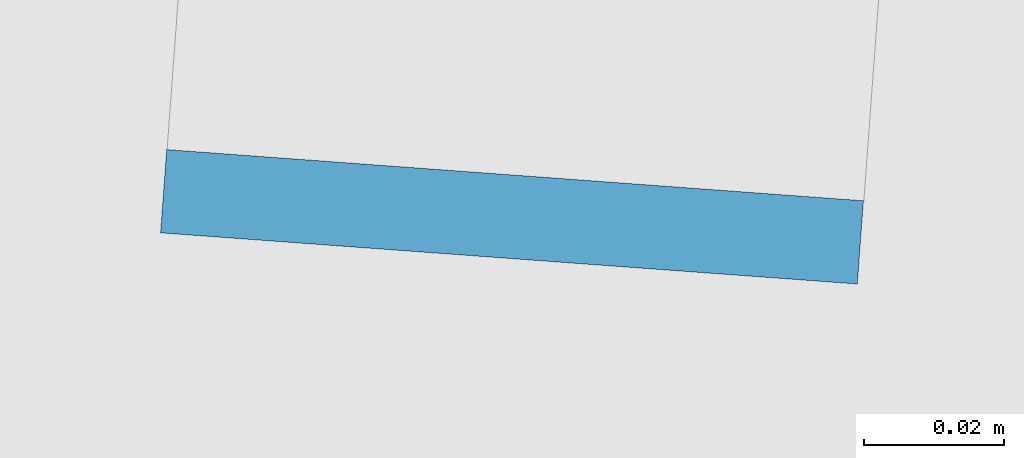
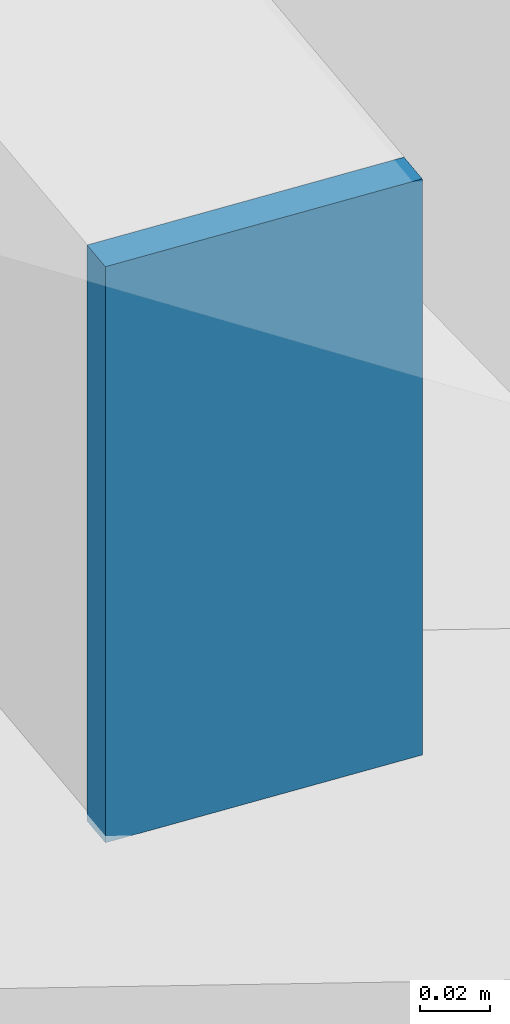
# One storey, part 37 of 56: 1 plate.
"""IFC4 building model written with IfcOpenShell, lengths in metres."""

import ifcopenshell
import ifcopenshell.guid

model = None  # the IFC model being written
_history = None  # IfcOwnerHistory: only IFC2X3 demands one
_inside = {}  # id of a spatial element -> (the spatial element, [elements in it])
_under = {}  # id of a project, library or spatial element -> (it, [spatial elements below it])
_declared = {}  # id of a project -> (the project, [libraries it declares])
_typed = {}  # id of a type object -> (the type object, [elements of that type])
_made_of = {}  # id of a material, layer set ... -> (it, [elements and type objects made of it])


def new_model(schema):
    """Start an empty IFC model of exactly this schema.

    Asked for "IFC4X3", IfcOpenShell would pick the latest addendum, in which some entities
    have other attributes; the version numbers below select the first issue.
    IFC2X3 requires an IfcOwnerHistory on every rooted entity: one is made here for all.
    """
    global model, _history
    if schema == "IFC4X3":
        model = ifcopenshell.file(schema_version=(4, 3, 0, 0))
    else:
        model = ifcopenshell.file(schema=schema)
    _inside.clear()
    _under.clear()
    _declared.clear()
    _typed.clear()
    _made_of.clear()
    _history = None
    if model.schema == "IFC2X3":
        org = make("IfcOrganization", Name="unknown")
        user = make(
            "IfcPersonAndOrganization",
            ThePerson=make("IfcPerson", FamilyName="unknown"),
            TheOrganization=org,
        )
        app = make(
            "IfcApplication",
            ApplicationDeveloper=org,
            Version="unknown",
            ApplicationFullName="unknown",
            ApplicationIdentifier="unknown",
        )
        _history = make(
            "IfcOwnerHistory",
            OwningUser=user,
            OwningApplication=app,
            ChangeAction="ADDED",
            CreationDate=0,
        )
    return model


def make(cls, **values):
    """One entity of the class cls with the attributes given. An attribute that is None is left unset."""
    return model.create_entity(
        cls, **{name: value for name, value in values.items() if value is not None}
    )


def rooted(cls, **values):
    """An entity with a GlobalId (a new one), such as an element, a storey or a relation."""
    return make(cls, GlobalId=ifcopenshell.guid.new(), OwnerHistory=_history, **values)


def si_unit(unit_type, name, prefix=None):
    """IfcSIUnit, for example si_unit("LENGTHUNIT", "METRE", prefix="MILLI")."""
    return make("IfcSIUnit", UnitType=unit_type, Prefix=prefix, Name=name)


def assignment(units):
    """IfcUnitAssignment: the units of a project."""
    return None if units is None else make("IfcUnitAssignment", Units=units)


def point(xyz):
    """IfcCartesianPoint."""
    return None if xyz is None else make("IfcCartesianPoint", Coordinates=xyz)


def direction(xyz):
    """IfcDirection."""
    return None if xyz is None else make("IfcDirection", DirectionRatios=xyz)


def frame(location, z_axis=None, x_axis=None):
    """IfcAxis2Placement3D, a coordinate frame: its origin and axes. An axis left out is left unset."""
    return make(
        "IfcAxis2Placement3D",
        Location=point(location),
        Axis=direction(z_axis),
        RefDirection=direction(x_axis),
    )


def frame_2d(location, x_axis=None):
    """IfcAxis2Placement2D, a coordinate frame in the plane: its origin and x axis."""
    return make(
        "IfcAxis2Placement2D", Location=point(location), RefDirection=direction(x_axis)
    )


def origin():
    """The frame at (0, 0, 0) with its axes left unset."""
    return frame((0.0, 0.0, 0.0))


def origin_2d():
    """The frame at (0, 0) in the plane with its x axis left unset."""
    return frame_2d((0.0, 0.0))


def place(relative_to, where):
    """IfcLocalPlacement: puts the frame where relative to a parent placement (None: the world)."""
    return make(
        "IfcLocalPlacement", PlacementRelTo=relative_to, RelativePlacement=where
    )


def context(
    kind, dimensions, precision=None, world=None, true_north=None, identifier=None
):
    """IfcGeometricRepresentationContext, for example the 3D "Model" context."""
    return make(
        "IfcGeometricRepresentationContext",
        ContextIdentifier=identifier,
        ContextType=kind,
        CoordinateSpaceDimension=dimensions,
        Precision=precision,
        WorldCoordinateSystem=world,
        TrueNorth=true_north,
    )


def subcontext(parent, identifier, kind, view, scale=None):
    """IfcGeometricRepresentationSubContext, for example "Body" below "Model"."""
    return make(
        "IfcGeometricRepresentationSubContext",
        ContextIdentifier=identifier,
        ContextType=kind,
        ParentContext=parent,
        TargetScale=scale,
        TargetView=view,
    )


def project(units=None, contexts=None):
    """IfcProject with its units and contexts."""
    return rooted(
        "IfcProject",
        Name="project",
        RepresentationContexts=contexts,
        UnitsInContext=assignment(units),
    )


def spatial(cls, under=None, at=None, **own):
    """A site, building, storey or space (cls), placed at a placement, below another one or the project."""
    s = rooted(cls, ObjectPlacement=at, **own)
    if under is not None:
        _under.setdefault(under.id(), (under, []))[1].append(s)
    return s


def profile(cls, at=None, kind="AREA", **sizes):
    """A parametric profile (cls). Its sizes go by their IFC names, for example OverallWidth=200.0."""
    return make(cls, ProfileType=kind, Position=at, **sizes)


def rectangle(**sizes):
    """IfcRectangleProfileDef."""
    return profile("IfcRectangleProfileDef", **sizes)


def extrude(swept, where, along, depth):
    """IfcExtrudedAreaSolid: the profile swept, set in the frame where, extruded along a direction by depth."""
    return make(
        "IfcExtrudedAreaSolid",
        SweptArea=swept,
        Position=where,
        ExtrudedDirection=direction(along),
        Depth=depth,
    )


def shape(context_of_items, identifier, shape_type, items):
    """IfcShapeRepresentation: the items that make up one representation, for example the "Body"."""
    return make(
        "IfcShapeRepresentation",
        ContextOfItems=context_of_items,
        RepresentationIdentifier=identifier,
        RepresentationType=shape_type,
        Items=items,
    )


def source(mapping_origin, context_of_items, identifier, shape_type, items):
    """IfcRepresentationMap: a shape defined once, which mapped items show again and again."""
    return make(
        "IfcRepresentationMap",
        MappingOrigin=mapping_origin,
        MappedRepresentation=shape(context_of_items, identifier, shape_type, items),
    )


def transform(
    local_origin,
    x_axis=None,
    y_axis=None,
    z_axis=None,
    scale=None,
    scale2=None,
    scale3=None,
    uniform=True,
):
    """IfcCartesianTransformationOperator3D, or its non-uniform kind. x_axis, y_axis, z_axis: its Axis1, 2, 3."""
    if uniform:
        return make(
            "IfcCartesianTransformationOperator3D",
            Axis1=direction(x_axis),
            Axis2=direction(y_axis),
            LocalOrigin=point(local_origin),
            Scale=scale,
            Axis3=direction(z_axis),
        )
    return make(
        "IfcCartesianTransformationOperator3DnonUniform",
        Axis1=direction(x_axis),
        Axis2=direction(y_axis),
        LocalOrigin=point(local_origin),
        Scale=scale,
        Axis3=direction(z_axis),
        Scale2=scale2,
        Scale3=scale3,
    )


def mapped(mapping_source, mapping_target):
    """IfcMappedItem: shows the shape of a source again, moved by a transform."""
    return make(
        "IfcMappedItem", MappingSource=mapping_source, MappingTarget=mapping_target
    )


def material(Name=None, Category=None):
    """IfcMaterial."""
    return make("IfcMaterial", Name=Name, Category=Category)


def layer(
    of_material, thickness, ventilated=None, Name=None, Category=None, Priority=None
):
    """IfcMaterialLayer: one layer of a wall or slab, of a material (None: an air gap)."""
    return make(
        "IfcMaterialLayer",
        Material=of_material,
        LayerThickness=thickness,
        IsVentilated=ventilated,
        Name=Name,
        Category=Category,
        Priority=Priority,
    )


def layer_set(layers, Name=None):
    """IfcMaterialLayerSet."""
    return make("IfcMaterialLayerSet", MaterialLayers=layers, LayerSetName=Name)


def made_of(thing, what):
    """Note that an element or type object is made of a material, layer set ...; save() writes the relation."""
    if what is not None:
        _made_of.setdefault(what.id(), (what, []))[1].append(thing)
    return thing


def type_object(cls, material=None, **own):
    """A type object (cls), such as IfcWallType, which elements share."""
    return made_of(rooted(cls, **own), material)


def element(
    cls,
    number,
    at=None,
    inside=None,
    cuts=None,
    type_object=None,
    material=None,
    context=None,
    identifier="Body",
    shape_type=None,
    held_by="IfcProductDefinitionShape",
    body=None,
    shapes=None,
    **own,
):
    """One element of the class cls, such as IfcWall. Its Tag is "e" and its number.

    at: its placement. inside: the storey or other place that contains it. cuts: it is an
    opening in that element (IfcRelVoidsElement). A single representation is given by context,
    identifier, shape_type and body (its items); several are given by shapes. held_by: the class
    of the entity that holds the representations. save() writes the other relations.
    """
    e = rooted(cls, Tag="e%d" % number, ObjectPlacement=at, **own)
    if body is not None:
        shapes = [shape(context, identifier, shape_type, body)]
    if shapes is not None:
        e.Representation = make(held_by, Representations=shapes)
    if inside is not None:
        _inside.setdefault(inside.id(), (inside, []))[1].append(e)
    if cuts is not None:
        rooted(
            "IfcRelVoidsElement", RelatingBuildingElement=cuts, RelatedOpeningElement=e
        )
    if type_object is not None:
        _typed.setdefault(type_object.id(), (type_object, []))[1].append(e)
    return made_of(e, material)


def aggregate(whole, parts):
    """IfcRelAggregates: a whole, such as a stair, and the parts it consists of."""
    return rooted("IfcRelAggregates", RelatingObject=whole, RelatedObjects=parts)


def save(model, path):
    """Write the relations noted so far, then the file.

    IfcRelAggregates (storeys below a building ...), IfcRelContainedInSpatialStructure (elements
    in a storey), IfcRelDefinesByType, IfcRelAssociatesMaterial and IfcRelDeclares: one each for
    every whole, place, type object, material and project.
    """
    for whole, parts in _under.values():
        aggregate(whole, parts)
    for where, things in _inside.values():
        rooted(
            "IfcRelContainedInSpatialStructure",
            RelatedElements=things,
            RelatingStructure=where,
        )
    for kind, things in _typed.values():
        rooted("IfcRelDefinesByType", RelatedObjects=things, RelatingType=kind)
    for what, things in _made_of.values():
        rooted("IfcRelAssociatesMaterial", RelatedObjects=things, RelatingMaterial=what)
    for by, libraries in _declared.values():
        rooted("IfcRelDeclares", RelatingContext=by, RelatedDefinitions=libraries)
    model.write(path)


model = new_model("IFC4")

# Units and contexts
model_context = context("Model", 3, precision=1e-05, world=origin(), true_north=direction((0.0, 1.0)))
body_context = subcontext(model_context, "Body", "Model", "MODEL_VIEW")
ifc_project = project(units=[si_unit("LENGTHUNIT", "METRE"), si_unit("AREAUNIT", "SQUARE_METRE"), si_unit("VOLUMEUNIT", "CUBIC_METRE"), si_unit("PLANEANGLEUNIT", "RADIAN"), si_unit("MASSUNIT", "GRAM", prefix="KILO")], contexts=[model_context])

# Site, building, storey
site_placement = place(None, origin())
site = spatial("IfcSite", under=ifc_project, at=site_placement, CompositionType="ELEMENT")
building_placement = place(site_placement, origin())
building = spatial("IfcBuilding", under=site, at=building_placement, Name="Taldren Reach Tower", CompositionType="ELEMENT")
storey_placement = place(building_placement, frame((0.0, 0.0, 253.050048828125)))
storey = spatial("IfcBuildingStorey", under=building, at=storey_placement, Name="L77", CompositionType="ELEMENT", Elevation=253.050048828125)

# Plate
ifc_material = material(Name="Steel Gr 350 (C350L0)", Category="steel")
ifc_layer = layer(ifc_material, 0.011962890625)
ifc_layer_set = layer_set([ifc_layer], Name="Steel Gr 350 (C350L0)")
plate_type = type_object("IfcPlateType", Name="PL-CAP-100X200", PredefinedType="SHEET", material=ifc_layer_set)
shared_shape = source(origin(), body_context, "Body", "SweptSolid", [
    extrude(rectangle(XDim=0.10009765625, YDim=0.011962890625, at=origin_2d()), origin(), (0.0, 0.0, 1.0), 0.199951171875),
])
plate_placement = place(storey_placement, frame((26.570068359375, 9.174560546875, 12.67578125), z_axis=(0.0, 0.0, 1.0), x_axis=(0.997314477224, -0.073238197128, 0.0)))
element("IfcPlate", 1, at=plate_placement, inside=storey, type_object=plate_type, Name="Crown roof purlin end cap plate PR-3.1", PredefinedType="SHEET", context=body_context, shape_type="MappedRepresentation", body=[
    mapped(shared_shape, transform((0.0, 0.0, 0.0), scale=1.0)),
])

save(model, "model.ifc")
